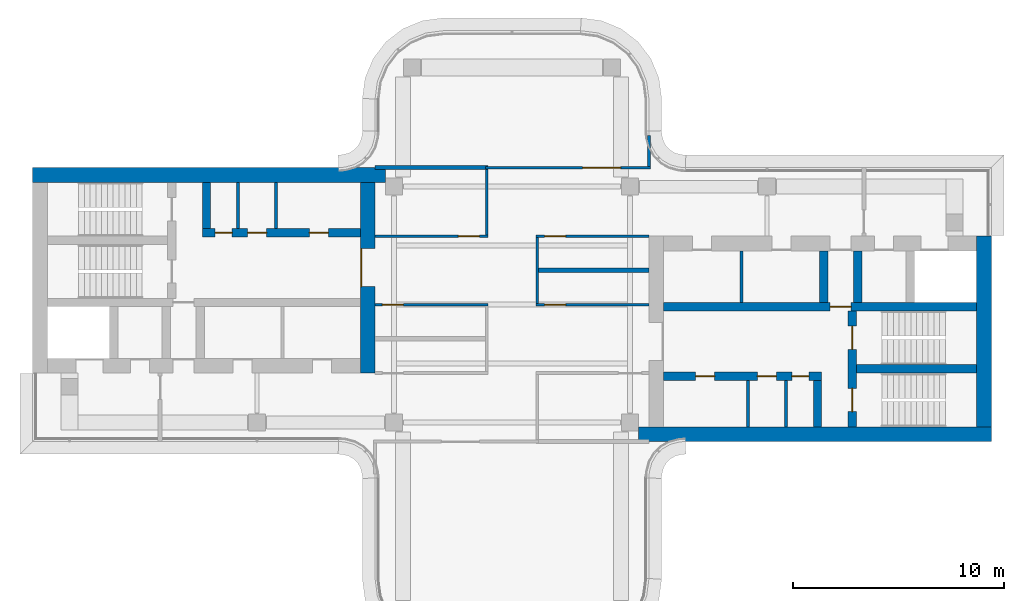
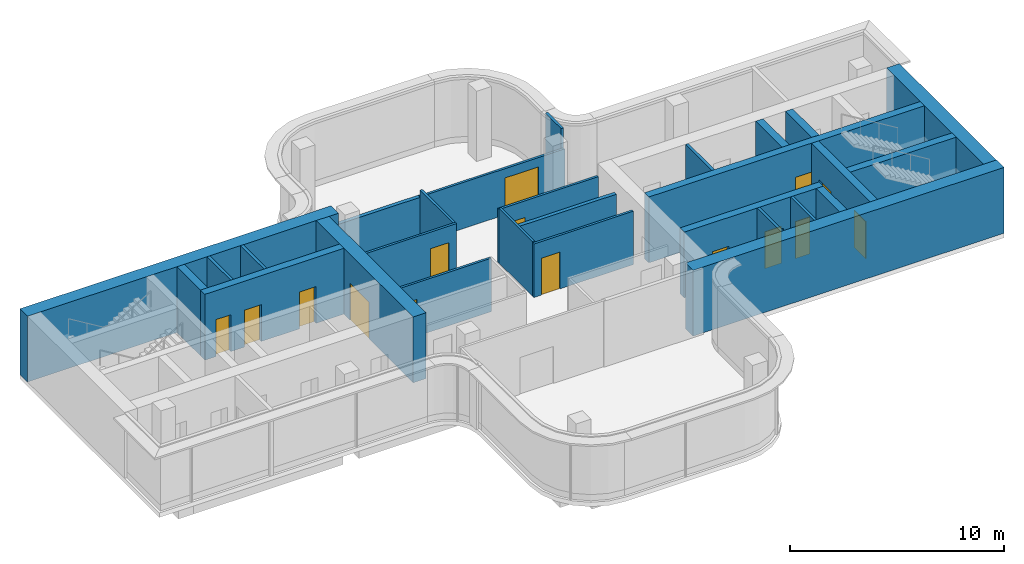
# One storey, part 8 of 10: 28 walls, 15 doors, 15 openings.
"""IFC4 building model written with IfcOpenShell, lengths in metres."""

from ifc_helpers import new_model, si_unit, direction, frame, frame_2d, origin, place, context, subcontext, project, spatial, rectangle, extrude, source, transform, mapped, material, layer, layer_set, type_object, element, fill, save


model = new_model("IFC4")

# Units and contexts
model_context = context("Model", 3, precision=1e-05, world=origin(), true_north=direction((0.0, 1.0)))
body_context = subcontext(model_context, "Body", "Model", "MODEL_VIEW")
ifc_project = project(units=[si_unit("LENGTHUNIT", "METRE"), si_unit("AREAUNIT", "SQUARE_METRE"), si_unit("VOLUMEUNIT", "CUBIC_METRE"), si_unit("PLANEANGLEUNIT", "RADIAN"), si_unit("MASSUNIT", "GRAM", prefix="KILO")], contexts=[model_context])

# Site, building, storey
site_placement = place(None, origin())
site = spatial("IfcSite", under=ifc_project, at=site_placement, CompositionType="ELEMENT")
building_placement = place(site_placement, origin())
building = spatial("IfcBuilding", under=site, at=building_placement, Name="Trellis Farm Tower", CompositionType="ELEMENT")
storey_placement = place(building_placement, frame((0.0, 0.0, 350.10009765625)))
storey = spatial("IfcBuildingStorey", under=building, at=storey_placement, Name="L79", CompositionType="ELEMENT", Elevation=350.10009765625)

# Wall
ifc_material_1 = material(Name="Lightweight blockwork, plastered", Category="masonry")
ifc_layer_1 = layer(ifc_material_1, 0.199951171875)
ifc_layer_set_1 = layer_set([ifc_layer_1], Name="BLOCK WALL 200 EI 120")
wall_type_1 = type_object("IfcWallType", Name="BLOCK WALL 200 EI 120", PredefinedType="PARTITIONING", material=ifc_layer_set_1)
wall_1_placement = place(storey_placement, frame((-6.5, 6.5, 0.0), z_axis=(0.0, 0.0, 1.0), x_axis=(1.0, 0.0, 0.0)))
element("IfcWall", 1, at=wall_1_placement, inside=storey, type_object=wall_type_1, Name="Partition PW3", PredefinedType="PARTITIONING", context=body_context, shape_type="SweptSolid", body=[
    extrude(rectangle(XDim=5.362548828125, YDim=0.199951171875, at=frame_2d((2.68115234375, 0.0))), origin(), (0.0, 0.0, 1.0), 2.6298828125),
])

# Wall, opening, door
ifc_material_2 = material(Name="Plasterboard on steel studs, mineral wool", Category="steel")
ifc_layer_2 = layer(ifc_material_2, 0.125)
ifc_layer_set_2 = layer_set([ifc_layer_2], Name="PARTITION 125 STUD EI 60")
wall_type_2 = type_object("IfcWallType", Name="PARTITION 125 STUD EI 60", PredefinedType="PARTITIONING", material=ifc_layer_set_2)
wall_2_placement = place(storey_placement, frame((-1.262451171875, 6.5, 0.0), z_axis=(0.0, 0.0, 1.0), x_axis=(1.0, 0.0, 0.0)))
wall_2 = element("IfcWall", 2, at=wall_2_placement, inside=storey, type_object=wall_type_2, Name="Partition PW1", PredefinedType="PARTITIONING", context=body_context, shape_type="SweptSolid", body=[
    extrude(rectangle(XDim=7.824951171875, YDim=0.125, at=frame_2d((3.91259765625, 0.0))), origin(), (0.0, 0.0, 1.0), 2.6298828125),
])
shared_shape_1 = source(origin(), body_context, "Body", "SweptSolid", [
    extrude(rectangle(XDim=1.800048828125, YDim=2.10009765625, at=frame_2d((0.89990234375, 1.050048828125))), frame((0.0, 0.072509765625, 0.0), z_axis=(0.0, -1.0, 0.0), x_axis=(1.0, 0.0, 0.0)), (0.0, 0.0, 1.0), 0.14501953125),
])
opening_1_placement = place(wall_2_placement, frame((4.612548828125, 0.0, 0.0)))
opening_1 = element("IfcOpeningElement", 3, at=opening_1_placement, cuts=wall_2, Name="Opening D402", PredefinedType="OPENING", context=body_context, shape_type="MappedRepresentation", body=[
    mapped(shared_shape_1, transform((0.0, 0.0, 0.0))),
])
ifc_material_3 = material(Name="Fire-rated timber door leaf in a hollow metal frame", Category="wood")
door_type_1 = type_object("IfcDoorType", Name="DOOR PAIR 1800x2100 FD60", OperationType="NOTDEFINED", PredefinedType="DOOR", material=ifc_material_3)
shared_shape_2 = source(origin(), body_context, "Body", "SweptSolid", [
    extrude(rectangle(XDim=1.800048828125, YDim=2.10009765625, at=frame_2d((0.89990234375, 1.050048828125))), frame((0.0, 0.02490234375, 0.0), z_axis=(0.0, -1.0, 0.0), x_axis=(1.0, 0.0, 0.0)), (0.0, 0.0, 1.0), 0.050048828125),
])
door_1_placement = place(opening_1_placement, origin())
door_1 = element("IfcDoor", 4, at=door_1_placement, inside=storey, type_object=door_type_1, Name="Door D402", OperationType="DOUBLE_DOOR_SINGLE_SWING", OverallHeight=2.10009765625, OverallWidth=1.800048828125, PredefinedType="DOOR", context=body_context, shape_type="MappedRepresentation", body=[
    mapped(shared_shape_2, transform((0.0, 0.0, 0.0))),
])
fill(opening_1, door_1)

# Wall
ifc_material_4 = material(Name="Concrete C50/60", Category="concrete")
ifc_layer_3 = layer(ifc_material_4, 0.699951171875)
ifc_layer_set_3 = layer_set([ifc_layer_3], Name="CORE OUTER WALL 700 CONCRETE C50/60")
wall_type_3 = type_object("IfcWallType", Name="CORE OUTER WALL 700 CONCRETE C50/60", PredefinedType="SHEAR", material=ifc_layer_set_3)
shared_shape_3 = source(origin(), body_context, "Body", "SweptSolid", [
    extrude(rectangle(XDim=9.050048828125, YDim=0.699951171875, at=frame_2d((4.52490234375, 0.0))), origin(), (0.0, 0.0, 1.0), 3.75),
])
wall_3_placement = place(storey_placement, frame((22.39990234375, -5.800048828125, 0.0), z_axis=(0.0, 0.0, 1.0), x_axis=(0.0, 1.0, 0.0)))
element("IfcWall", 5, at=wall_3_placement, inside=storey, type_object=wall_type_3, Name="Core wall", PredefinedType="SHEAR", context=body_context, shape_type="MappedRepresentation", body=[
    mapped(shared_shape_3, transform((0.0, 0.0, 0.0))),
])

# Wall, opening, door
wall_4_placement = place(storey_placement, frame((-6.85009765625, 5.800048828125, 0.0), z_axis=(0.0, 0.0, 1.0), x_axis=(0.0, -1.0, 0.0)))
wall_4 = element("IfcWall", 6, at=wall_4_placement, inside=storey, type_object=wall_type_3, Name="Core wall", PredefinedType="SHEAR", context=body_context, shape_type="MappedRepresentation", body=[
    mapped(shared_shape_3, transform((0.0, 0.0, 0.0))),
])
shared_shape_4 = source(origin(), body_context, "Body", "SweptSolid", [
    extrude(rectangle(XDim=1.800048828125, YDim=2.10009765625, at=frame_2d((0.89990234375, 1.050048828125))), frame((0.0, 0.360107421875, 0.0), z_axis=(0.0, -1.0, 0.0), x_axis=(1.0, 0.0, 0.0)), (0.0, 0.0, 1.0), 0.72021484375),
])
opening_2_placement = place(wall_4_placement, frame((3.14990234375, 0.0, 0.0)))
opening_2 = element("IfcOpeningElement", 7, at=opening_2_placement, cuts=wall_4, Name="Opening DC87", PredefinedType="OPENING", context=body_context, shape_type="MappedRepresentation", body=[
    mapped(shared_shape_4, transform((0.0, 0.0, 0.0))),
])
ifc_material_5 = material(Name="Steel", Category="steel")
door_type_2 = type_object("IfcDoorType", Name="CORE FIRE DOOR DOUBLE 1800 X 2100", OperationType="DOUBLE_DOOR_SINGLE_SWING", PredefinedType="DOOR", material=ifc_material_5)
shared_shape_5 = source(origin(), body_context, "Body", "SweptSolid", [
    extrude(rectangle(XDim=1.800048828125, YDim=2.10009765625, at=frame_2d((0.89990234375, 1.050048828125))), frame((0.0, -0.27490234375, 0.0), z_axis=(0.0, -1.0, 0.0), x_axis=(1.0, 0.0, 0.0)), (0.0, 0.0, 1.0), 0.050048828125),
])
door_2_placement = place(opening_2_placement, origin())
door_2 = element("IfcDoor", 8, at=door_2_placement, inside=storey, type_object=door_type_2, Name="Core door", OperationType="DOUBLE_DOOR_SINGLE_SWING", OverallHeight=2.10009765625, OverallWidth=1.800048828125, PredefinedType="DOOR", context=body_context, shape_type="MappedRepresentation", body=[
    mapped(shared_shape_5, transform((0.0, 0.0, 0.0))),
])
fill(opening_2, door_2)

# Walls
ifc_layer_4 = layer(ifc_material_4, 0.39990234375)
ifc_layer_set_4 = layer_set([ifc_layer_4], Name="CORE INNER WALL 400 CONCRETE C50/60")
wall_type_4 = type_object("IfcWallType", Name="CORE INNER WALL 400 CONCRETE C50/60", PredefinedType="SHEAR", material=ifc_layer_set_4)
shared_shape_6 = source(origin(), body_context, "Body", "SweptSolid", [
    extrude(rectangle(XDim=2.449951171875, YDim=0.39990234375, at=frame_2d((1.22509765625, 0.0))), origin(), (0.0, 0.0, 1.0), 3.75),
])
for number, where, z_axis, x_axis, name in (
    (9, (14.800048828125, 0.10009765625, 0.0), (0.0, 0.0, 1.0), (0.0, 1.0, 0.0), "Core wall"),
    (10, (16.39990234375, 0.10009765625, 0.0), (0.0, 0.0, 1.0), (0.0, 1.0, 0.0), "Core wall"),
):
    element("IfcWall", number, at=place(storey_placement, frame(where, z_axis=z_axis, x_axis=x_axis)), inside=storey, type_object=wall_type_4, Name=name, PredefinedType="SHEAR", context=body_context, shape_type="MappedRepresentation", body=[
        mapped(shared_shape_6, transform((0.0, 0.0, 0.0))),
    ])
ifc_material_6 = material(Name="Masonry blockwork", Category="masonry")
ifc_layer_5 = layer(ifc_material_6, 0.14990234375)
ifc_layer_set_5 = layer_set([ifc_layer_5], Name="CORE PARTITION 150 BLOCKWORK")
wall_type_5 = type_object("IfcWallType", Name="CORE PARTITION 150 BLOCKWORK", PredefinedType="PARTITIONING", material=ifc_layer_set_5)
shared_shape_7 = source(origin(), body_context, "Body", "SweptSolid", [
    extrude(rectangle(XDim=2.449951171875, YDim=0.14990234375, at=frame_2d((1.22509765625, 0.0))), origin(), (0.0, 0.0, 1.0), 3.75),
])
wall_5_placement = place(storey_placement, frame((10.89990234375, 0.10009765625, 0.0), z_axis=(0.0, 0.0, 1.0), x_axis=(0.0, 1.0, 0.0)))
element("IfcWall", 11, at=wall_5_placement, inside=storey, type_object=wall_type_5, Name="Core room partition", PredefinedType="PARTITIONING", context=body_context, shape_type="MappedRepresentation", body=[
    mapped(shared_shape_7, transform((0.0, 0.0, 0.0))),
])

# Wall, openings, doors
shared_shape_8 = source(origin(), body_context, "Body", "SweptSolid", [
    extrude(rectangle(XDim=7.5, YDim=0.39990234375, at=frame_2d((3.75, 0.0))), origin(), (0.0, 0.0, 1.0), 3.75),
])
wall_6_placement = place(storey_placement, frame((7.199951171875, -3.39990234375, 0.0), z_axis=(0.0, 0.0, 1.0), x_axis=(1.0, 0.0, 0.0)))
wall_6 = element("IfcWall", 12, at=wall_6_placement, inside=storey, type_object=wall_type_4, Name="Core wall", PredefinedType="SHEAR", context=body_context, shape_type="MappedRepresentation", body=[
    mapped(shared_shape_8, transform((0.0, 0.0, 0.0))),
])
shared_shape_9 = source(origin(), body_context, "Body", "SweptSolid", [
    extrude(rectangle(XDim=0.89990234375, YDim=2.10009765625, at=frame_2d((0.449951171875, 1.050048828125))), frame((0.0, 0.2099609375, 0.0), z_axis=(0.0, -1.0, 0.0), x_axis=(1.0, 0.0, 0.0)), (0.0, 0.0, 1.0), 0.419921875),
])
opening_3_placement = place(wall_6_placement, frame((1.512451171875, 0.0, 0.0)))
opening_3 = element("IfcOpeningElement", 13, at=opening_3_placement, cuts=wall_6, Name="Opening DC53", PredefinedType="OPENING", context=body_context, shape_type="MappedRepresentation", body=[
    mapped(shared_shape_9, transform((0.0, 0.0, 0.0))),
])
opening_4_placement = place(wall_6_placement, frame((4.449951171875, 0.0, 0.0)))
opening_4 = element("IfcOpeningElement", 14, at=opening_4_placement, cuts=wall_6, Name="Opening DC60", PredefinedType="OPENING", context=body_context, shape_type="MappedRepresentation", body=[
    mapped(shared_shape_9, transform((0.0, 0.0, 0.0))),
])
shared_shape_10 = source(origin(), body_context, "Body", "SweptSolid", [
    extrude(rectangle(XDim=0.800048828125, YDim=2.10009765625, at=frame_2d((0.39990234375, 1.050048828125))), frame((0.0, 0.2099609375, 0.0), z_axis=(0.0, -1.0, 0.0), x_axis=(1.0, 0.0, 0.0)), (0.0, 0.0, 1.0), 0.419921875),
])
opening_5_placement = place(wall_6_placement, frame((6.08740234375, 0.0, 0.0)))
opening_5 = element("IfcOpeningElement", 15, at=opening_5_placement, cuts=wall_6, Name="Opening DC63", PredefinedType="OPENING", context=body_context, shape_type="MappedRepresentation", body=[
    mapped(shared_shape_10, transform((0.0, 0.0, 0.0))),
])
door_type_3 = type_object("IfcDoorType", Name="CORE FIRE DOOR 900 X 2100", OperationType="NOTDEFINED", PredefinedType="DOOR", material=ifc_material_5)
shared_shape_11 = source(origin(), body_context, "Body", "SweptSolid", [
    extrude(rectangle(XDim=0.89990234375, YDim=2.10009765625, at=frame_2d((0.449951171875, 1.050048828125))), frame((0.0, 0.02490234375, 0.0), z_axis=(0.0, -1.0, 0.0), x_axis=(1.0, 0.0, 0.0)), (0.0, 0.0, 1.0), 0.050048828125),
])
door_3_placement = place(opening_3_placement, origin())
door_3 = element("IfcDoor", 16, at=door_3_placement, inside=storey, type_object=door_type_3, Name="Core door", OperationType="SINGLE_SWING_LEFT", OverallHeight=2.10009765625, OverallWidth=0.89990234375, PredefinedType="DOOR", context=body_context, shape_type="MappedRepresentation", body=[
    mapped(shared_shape_11, transform((0.0, 0.0, 0.0))),
])
fill(opening_3, door_3)
door_4_placement = place(opening_4_placement, origin())
door_4 = element("IfcDoor", 17, at=door_4_placement, inside=storey, type_object=door_type_3, Name="Core door", OperationType="SINGLE_SWING_RIGHT", OverallHeight=2.10009765625, OverallWidth=0.89990234375, PredefinedType="DOOR", context=body_context, shape_type="MappedRepresentation", body=[
    mapped(shared_shape_11, transform((0.0, 0.0, 0.0))),
])
fill(opening_4, door_4)
door_type_4 = type_object("IfcDoorType", Name="CORE FIRE DOOR 800 X 2100", OperationType="NOTDEFINED", PredefinedType="DOOR", material=ifc_material_5)
shared_shape_12 = source(origin(), body_context, "Body", "SweptSolid", [
    extrude(rectangle(XDim=0.800048828125, YDim=2.10009765625, at=frame_2d((0.39990234375, 1.050048828125))), frame((0.0, 0.02490234375, 0.0), z_axis=(0.0, -1.0, 0.0), x_axis=(1.0, 0.0, 0.0)), (0.0, 0.0, 1.0), 0.050048828125),
])
door_5_placement = place(opening_5_placement, origin())
door_5 = element("IfcDoor", 18, at=door_5_placement, inside=storey, type_object=door_type_4, Name="Core door", OperationType="SINGLE_SWING_LEFT", OverallHeight=2.10009765625, OverallWidth=0.800048828125, PredefinedType="DOOR", context=body_context, shape_type="MappedRepresentation", body=[
    mapped(shared_shape_12, transform((0.0, 0.0, 0.0))),
])
fill(opening_5, door_5)

wall_7_placement = place(storey_placement, frame((-7.199951171875, 3.39990234375, 0.0), z_axis=(0.0, 0.0, 1.0), x_axis=(-1.0, 0.0, 0.0)))
wall_7 = element("IfcWall", 19, at=wall_7_placement, inside=storey, type_object=wall_type_4, Name="Core wall", PredefinedType="SHEAR", context=body_context, shape_type="MappedRepresentation", body=[
    mapped(shared_shape_8, transform((0.0, 0.0, 0.0))),
])
opening_6_placement = place(wall_7_placement, frame((1.512451171875, 0.0, 0.0)))
opening_6 = element("IfcOpeningElement", 20, at=opening_6_placement, cuts=wall_7, Name="Opening DC139", PredefinedType="OPENING", context=body_context, shape_type="MappedRepresentation", body=[
    mapped(shared_shape_9, transform((0.0, 0.0, 0.0))),
])
opening_7_placement = place(wall_7_placement, frame((4.449951171875, 0.0, 0.0)))
opening_7 = element("IfcOpeningElement", 21, at=opening_7_placement, cuts=wall_7, Name="Opening DC146", PredefinedType="OPENING", context=body_context, shape_type="MappedRepresentation", body=[
    mapped(shared_shape_9, transform((0.0, 0.0, 0.0))),
])
opening_8_placement = place(wall_7_placement, frame((6.08740234375, 0.0, 0.0)))
opening_8 = element("IfcOpeningElement", 22, at=opening_8_placement, cuts=wall_7, Name="Opening DC149", PredefinedType="OPENING", context=body_context, shape_type="MappedRepresentation", body=[
    mapped(shared_shape_10, transform((0.0, 0.0, 0.0))),
])
door_6_placement = place(opening_6_placement, origin())
door_6 = element("IfcDoor", 23, at=door_6_placement, inside=storey, type_object=door_type_3, Name="Core door", OperationType="SINGLE_SWING_LEFT", OverallHeight=2.10009765625, OverallWidth=0.89990234375, PredefinedType="DOOR", context=body_context, shape_type="MappedRepresentation", body=[
    mapped(shared_shape_11, transform((0.0, 0.0, 0.0))),
])
fill(opening_6, door_6)
door_7_placement = place(opening_7_placement, origin())
door_7 = element("IfcDoor", 24, at=door_7_placement, inside=storey, type_object=door_type_3, Name="Core door", OperationType="SINGLE_SWING_RIGHT", OverallHeight=2.10009765625, OverallWidth=0.89990234375, PredefinedType="DOOR", context=body_context, shape_type="MappedRepresentation", body=[
    mapped(shared_shape_11, transform((0.0, 0.0, 0.0))),
])
fill(opening_7, door_7)
door_8_placement = place(opening_8_placement, origin())
door_8 = element("IfcDoor", 25, at=door_8_placement, inside=storey, type_object=door_type_4, Name="Core door", OperationType="SINGLE_SWING_LEFT", OverallHeight=2.10009765625, OverallWidth=0.800048828125, PredefinedType="DOOR", context=body_context, shape_type="MappedRepresentation", body=[
    mapped(shared_shape_12, transform((0.0, 0.0, 0.0))),
])
fill(opening_8, door_8)

# Wall, opening, door
shared_shape_13 = source(origin(), body_context, "Body", "SweptSolid", [
    extrude(rectangle(XDim=14.85009765625, YDim=0.39990234375, at=frame_2d((7.425048828125, 0.0))), origin(), (0.0, 0.0, 1.0), 3.75),
])
wall_8_placement = place(storey_placement, frame((7.199951171875, -0.10009765625, 0.0), z_axis=(0.0, 0.0, 1.0), x_axis=(1.0, 0.0, 0.0)))
wall_8 = element("IfcWall", 26, at=wall_8_placement, inside=storey, type_object=wall_type_4, Name="Core wall", PredefinedType="SHEAR", context=body_context, shape_type="MappedRepresentation", body=[
    mapped(shared_shape_13, transform((0.0, 0.0, 0.0))),
])
shared_shape_14 = source(origin(), body_context, "Body", "SweptSolid", [
    extrude(rectangle(XDim=1.0, YDim=2.10009765625, at=frame_2d((0.5, 1.050048828125))), frame((0.0, 0.2099609375, 0.0), z_axis=(0.0, -1.0, 0.0), x_axis=(1.0, 0.0, 0.0)), (0.0, 0.0, 1.0), 0.419921875),
])
opening_9_placement = place(wall_8_placement, frame((7.89990234375, 0.0, 0.0)))
opening_9 = element("IfcOpeningElement", 27, at=opening_9_placement, cuts=wall_8, Name="Opening DC5", PredefinedType="OPENING", context=body_context, shape_type="MappedRepresentation", body=[
    mapped(shared_shape_14, transform((0.0, 0.0, 0.0))),
])
door_type_5 = type_object("IfcDoorType", Name="CORE FIRE DOOR 1000 X 2100", OperationType="NOTDEFINED", PredefinedType="DOOR", material=ifc_material_5)
shared_shape_15 = source(origin(), body_context, "Body", "SweptSolid", [
    extrude(rectangle(XDim=1.0, YDim=2.10009765625, at=frame_2d((0.5, 1.050048828125))), frame((0.0, 0.02490234375, 0.0), z_axis=(0.0, -1.0, 0.0), x_axis=(1.0, 0.0, 0.0)), (0.0, 0.0, 1.0), 0.050048828125),
])
door_9_placement = place(opening_9_placement, origin())
door_9 = element("IfcDoor", 28, at=door_9_placement, inside=storey, type_object=door_type_5, Name="Core door", OperationType="SINGLE_SWING_RIGHT", OverallHeight=2.10009765625, OverallWidth=1.0, PredefinedType="DOOR", context=body_context, shape_type="MappedRepresentation", body=[
    mapped(shared_shape_15, transform((0.0, 0.0, 0.0))),
])
fill(opening_9, door_9)

# Wall, openings, doors
shared_shape_16 = source(origin(), body_context, "Body", "SweptSolid", [
    extrude(rectangle(XDim=5.5, YDim=0.39990234375, at=frame_2d((2.75, 0.0))), origin(), (0.0, 0.0, 1.0), 3.75),
])
wall_9_placement = place(storey_placement, frame((16.14990234375, -5.800048828125, 0.0), z_axis=(0.0, 0.0, 1.0), x_axis=(0.0, 1.0, 0.0)))
wall_9 = element("IfcWall", 29, at=wall_9_placement, inside=storey, type_object=wall_type_4, Name="Core wall", PredefinedType="SHEAR", context=body_context, shape_type="MappedRepresentation", body=[
    mapped(shared_shape_16, transform((0.0, 0.0, 0.0))),
])
shared_shape_17 = source(origin(), body_context, "Body", "SweptSolid", [
    extrude(rectangle(XDim=1.10009765625, YDim=2.10009765625, at=frame_2d((0.550048828125, 1.050048828125))), frame((0.0, 0.2099609375, 0.0), z_axis=(0.0, -1.0, 0.0), x_axis=(1.0, 0.0, 0.0)), (0.0, 0.0, 1.0), 0.419921875),
])
opening_10_placement = place(wall_9_placement, frame((0.72509765625, 0.0, 0.0)))
opening_10 = element("IfcOpeningElement", 30, at=opening_10_placement, cuts=wall_9, Name="Opening DC2", PredefinedType="OPENING", context=body_context, shape_type="MappedRepresentation", body=[
    mapped(shared_shape_17, transform((0.0, 0.0, 0.0))),
])
opening_11_placement = place(wall_9_placement, frame((3.675048828125, 0.0, 0.0)))
opening_11 = element("IfcOpeningElement", 31, at=opening_11_placement, cuts=wall_9, Name="Opening DC3", PredefinedType="OPENING", context=body_context, shape_type="MappedRepresentation", body=[
    mapped(shared_shape_17, transform((0.0, 0.0, 0.0))),
])
door_type_6 = type_object("IfcDoorType", Name="CORE FIRE DOOR 1100 X 2100", OperationType="NOTDEFINED", PredefinedType="DOOR", material=ifc_material_5)
shared_shape_18 = source(origin(), body_context, "Body", "SweptSolid", [
    extrude(rectangle(XDim=1.10009765625, YDim=2.10009765625, at=frame_2d((0.550048828125, 1.050048828125))), frame((0.0, 0.02490234375, 0.0), z_axis=(0.0, -1.0, 0.0), x_axis=(1.0, 0.0, 0.0)), (0.0, 0.0, 1.0), 0.050048828125),
])
door_10_placement = place(opening_10_placement, origin())
door_10 = element("IfcDoor", 32, at=door_10_placement, inside=storey, type_object=door_type_6, Name="Core door", OperationType="SINGLE_SWING_RIGHT", OverallHeight=2.10009765625, OverallWidth=1.10009765625, PredefinedType="DOOR", context=body_context, shape_type="MappedRepresentation", body=[
    mapped(shared_shape_18, transform((0.0, 0.0, 0.0))),
])
fill(opening_10, door_10)
door_11_placement = place(opening_11_placement, origin())
door_11 = element("IfcDoor", 33, at=door_11_placement, inside=storey, type_object=door_type_6, Name="Core door", OperationType="SINGLE_SWING_LEFT", OverallHeight=2.10009765625, OverallWidth=1.10009765625, PredefinedType="DOOR", context=body_context, shape_type="MappedRepresentation", body=[
    mapped(shared_shape_18, transform((0.0, 0.0, 0.0))),
])
fill(opening_11, door_11)

# Walls
shared_shape_19 = source(origin(), body_context, "Body", "SweptSolid", [
    extrude(rectangle(XDim=5.699951171875, YDim=0.39990234375, at=frame_2d((2.85009765625, 0.0))), origin(), (0.0, 0.0, 1.0), 3.75),
])
wall_10_placement = place(storey_placement, frame((16.35009765625, -3.050048828125, 0.0), z_axis=(0.0, 0.0, 1.0), x_axis=(1.0, 0.0, 0.0)))
element("IfcWall", 34, at=wall_10_placement, inside=storey, type_object=wall_type_4, Name="Core wall", PredefinedType="SHEAR", context=body_context, shape_type="MappedRepresentation", body=[
    mapped(shared_shape_19, transform((0.0, 0.0, 0.0))),
])
shared_shape_20 = source(origin(), body_context, "Body", "SweptSolid", [
    extrude(rectangle(XDim=2.199951171875, YDim=0.39990234375, at=frame_2d((1.10009765625, 0.0))), origin(), (0.0, 0.0, 1.0), 3.75),
])
for number, where, z_axis, x_axis, name in (
    (35, (14.5, -5.800048828125, 0.0), (0.0, 0.0, 1.0), (0.0, 1.0, 0.0), "Core wall"),
    (36, (-14.5, 5.800048828125, 0.0), (0.0, 0.0, 1.0), (0.0, -1.0, 0.0), "Core wall"),
):
    element("IfcWall", number, at=place(storey_placement, frame(where, z_axis=z_axis, x_axis=x_axis)), inside=storey, type_object=wall_type_4, Name=name, PredefinedType="SHEAR", context=body_context, shape_type="MappedRepresentation", body=[
        mapped(shared_shape_20, transform((0.0, 0.0, 0.0))),
    ])
shared_shape_21 = source(origin(), body_context, "Body", "SweptSolid", [
    extrude(rectangle(XDim=2.199951171875, YDim=0.14990234375, at=frame_2d((1.10009765625, 0.0))), origin(), (0.0, 0.0, 1.0), 3.75),
])
for number, where, z_axis, x_axis, name in (
    (37, (11.199951171875, -5.800048828125, 0.0), (0.0, 0.0, 1.0), (0.0, 1.0, 0.0), "Core room partition"),
    (38, (13.0, -5.800048828125, 0.0), (0.0, 0.0, 1.0), (0.0, 1.0, 0.0), "Core room partition"),
    (39, (-11.199951171875, 5.800048828125, 0.0), (0.0, 0.0, 1.0), (0.0, -1.0, 0.0), "Core room partition"),
    (40, (-13.0, 5.800048828125, 0.0), (0.0, 0.0, 1.0), (0.0, -1.0, 0.0), "Core room partition"),
):
    element("IfcWall", number, at=place(storey_placement, frame(where, z_axis=z_axis, x_axis=x_axis)), inside=storey, type_object=wall_type_5, Name=name, PredefinedType="PARTITIONING", context=body_context, shape_type="MappedRepresentation", body=[
        mapped(shared_shape_21, transform((0.0, 0.0, 0.0))),
    ])
shared_shape_22 = source(origin(), body_context, "Body", "SweptSolid", [
    extrude(rectangle(XDim=16.75, YDim=0.699951171875, at=frame_2d((8.375, 0.0))), origin(), (0.0, 0.0, 1.0), 3.75),
])
for number, where, z_axis, x_axis, name in (
    (41, (6.0, -6.14990234375, 0.0), (0.0, 0.0, 1.0), (1.0, 0.0, 0.0), "Core wall"),
    (42, (-6.0, 6.14990234375, 0.0), (0.0, 0.0, 1.0), (-1.0, 0.0, 0.0), "Core wall"),
):
    element("IfcWall", number, at=place(storey_placement, frame(where, z_axis=z_axis, x_axis=x_axis)), inside=storey, type_object=wall_type_3, Name=name, PredefinedType="SHEAR", context=body_context, shape_type="MappedRepresentation", body=[
        mapped(shared_shape_22, transform((0.0, 0.0, 0.0))),
    ])
shared_shape_23 = source(origin(), body_context, "Body", "SweptSolid", [
    extrude(rectangle(XDim=3.125, YDim=0.125, at=frame_2d((1.5625, 0.0))), origin(), (0.0, 0.0, 1.0), 3.11767578125),
])
wall_11_placement = place(storey_placement, frame((1.199951171875, 3.1875, 0.0), z_axis=(0.0, 0.0, 1.0), x_axis=(0.0, -1.0, 0.0)))
element("IfcWall", 43, at=wall_11_placement, inside=storey, type_object=wall_type_2, Name="Partition PW1", PredefinedType="PARTITIONING", context=body_context, shape_type="MappedRepresentation", body=[
    mapped(shared_shape_23, transform((0.0, 0.0, 0.0))),
])
shared_shape_24 = source(origin(), body_context, "Body", "SweptSolid", [
    extrude(rectangle(XDim=1.468994140625, YDim=0.125, at=frame_2d((0.734375, 0.0))), origin(), (0.0, 0.0, 1.0), 3.75),
])
wall_12_placement = place(storey_placement, frame((6.5, 6.5625, 0.0), z_axis=(0.0, 0.0, 1.0), x_axis=(0.0, 1.0, 0.0)))
element("IfcWall", 44, at=wall_12_placement, inside=storey, type_object=wall_type_2, Name="Partition PW1", PredefinedType="PARTITIONING", context=body_context, shape_type="MappedRepresentation", body=[
    mapped(shared_shape_24, transform((0.0, 0.0, 0.0))),
])

# Wall, opening, door
shared_shape_25 = source(origin(), body_context, "Body", "SweptSolid", [
    extrude(rectangle(XDim=5.362548828125, YDim=0.125, at=frame_2d((2.68115234375, 0.0))), origin(), (0.0, 0.0, 1.0), 3.04638671875),
])
wall_13_placement = place(storey_placement, frame((-1.137451171875, 0.0, 0.0), z_axis=(0.0, 0.0, 1.0), x_axis=(-1.0, 0.0, 0.0)))
wall_13 = element("IfcWall", 45, at=wall_13_placement, inside=storey, type_object=wall_type_2, Name="Partition PW1", PredefinedType="PARTITIONING", context=body_context, shape_type="MappedRepresentation", body=[
    mapped(shared_shape_25, transform((0.0, 0.0, 0.0))),
])
shared_shape_26 = source(origin(), body_context, "Body", "SweptSolid", [
    extrude(rectangle(XDim=1.0, YDim=2.10009765625, at=frame_2d((0.5, 1.050048828125))), frame((0.0, 0.072509765625, 0.0), z_axis=(0.0, -1.0, 0.0), x_axis=(1.0, 0.0, 0.0)), (0.0, 0.0, 1.0), 0.14501953125),
])
opening_12_placement = place(wall_13_placement, frame((4.012451171875, 0.0, 0.0)))
opening_12 = element("IfcOpeningElement", 46, at=opening_12_placement, cuts=wall_13, Name="Opening D301", PredefinedType="OPENING", context=body_context, shape_type="MappedRepresentation", body=[
    mapped(shared_shape_26, transform((0.0, 0.0, 0.0))),
])
door_type_7 = type_object("IfcDoorType", Name="DOOR 1000x2100 FD60", OperationType="NOTDEFINED", PredefinedType="DOOR", material=ifc_material_3)
door_12_placement = place(opening_12_placement, origin())
door_12 = element("IfcDoor", 47, at=door_12_placement, inside=storey, type_object=door_type_7, Name="Door D301", OperationType="SINGLE_SWING_RIGHT", OverallHeight=2.10009765625, OverallWidth=1.0, PredefinedType="DOOR", context=body_context, shape_type="MappedRepresentation", body=[
    mapped(shared_shape_15, transform((0.0, 0.0, 0.0))),
])
fill(opening_12, door_12)

wall_14_placement = place(storey_placement, frame((6.5, 0.0, 0.0), z_axis=(0.0, 0.0, 1.0), x_axis=(-1.0, 0.0, 0.0)))
wall_14 = element("IfcWall", 48, at=wall_14_placement, inside=storey, type_object=wall_type_2, Name="Partition PW1", PredefinedType="PARTITIONING", context=body_context, shape_type="MappedRepresentation", body=[
    mapped(shared_shape_25, transform((0.0, 0.0, 0.0))),
])
opening_13_placement = place(wall_14_placement, frame((3.949951171875, 0.0, 0.0)))
opening_13 = element("IfcOpeningElement", 49, at=opening_13_placement, cuts=wall_14, Name="Opening D102", PredefinedType="OPENING", context=body_context, shape_type="MappedRepresentation", body=[
    mapped(shared_shape_26, transform((0.0, 0.0, 0.0))),
])
door_type_8 = type_object("IfcDoorType", Name="DOOR 1000x2100 FD30S", OperationType="NOTDEFINED", PredefinedType="DOOR", material=ifc_material_3)
door_13_placement = place(opening_13_placement, origin())
door_13 = element("IfcDoor", 50, at=door_13_placement, inside=storey, type_object=door_type_8, Name="Door D102", OperationType="SINGLE_SWING_RIGHT", OverallHeight=2.10009765625, OverallWidth=1.0, PredefinedType="DOOR", context=body_context, shape_type="MappedRepresentation", body=[
    mapped(shared_shape_15, transform((0.0, 0.0, 0.0))),
])
fill(opening_13, door_13)

wall_15_placement = place(storey_placement, frame((-6.5, 3.25, 0.0), z_axis=(0.0, 0.0, 1.0), x_axis=(1.0, 0.0, 0.0)))
wall_15 = element("IfcWall", 51, at=wall_15_placement, inside=storey, type_object=wall_type_2, Name="Partition PW1", PredefinedType="PARTITIONING", context=body_context, shape_type="MappedRepresentation", body=[
    mapped(shared_shape_25, transform((0.0, 0.0, 0.0))),
])
opening_14_placement = place(wall_15_placement, frame((3.949951171875, 0.0, 0.0)))
opening_14 = element("IfcOpeningElement", 52, at=opening_14_placement, cuts=wall_15, Name="Opening D302", PredefinedType="OPENING", context=body_context, shape_type="MappedRepresentation", body=[
    mapped(shared_shape_26, transform((0.0, 0.0, 0.0))),
])
door_14_placement = place(opening_14_placement, origin())
door_14 = element("IfcDoor", 53, at=door_14_placement, inside=storey, type_object=door_type_7, Name="Door D302", OperationType="SINGLE_SWING_RIGHT", OverallHeight=2.10009765625, OverallWidth=1.0, PredefinedType="DOOR", context=body_context, shape_type="MappedRepresentation", body=[
    mapped(shared_shape_15, transform((0.0, 0.0, 0.0))),
])
fill(opening_14, door_14)

wall_16_placement = place(storey_placement, frame((1.137451171875, 3.25, 0.0), z_axis=(0.0, 0.0, 1.0), x_axis=(1.0, 0.0, 0.0)))
wall_16 = element("IfcWall", 54, at=wall_16_placement, inside=storey, type_object=wall_type_2, Name="Partition PW1", PredefinedType="PARTITIONING", context=body_context, shape_type="MappedRepresentation", body=[
    mapped(shared_shape_25, transform((0.0, 0.0, 0.0))),
])
opening_15_placement = place(wall_16_placement, frame((0.41259765625, 0.0, 0.0)))
opening_15 = element("IfcOpeningElement", 55, at=opening_15_placement, cuts=wall_16, Name="Opening D303", PredefinedType="OPENING", context=body_context, shape_type="MappedRepresentation", body=[
    mapped(shared_shape_26, transform((0.0, 0.0, 0.0))),
])
door_15_placement = place(opening_15_placement, origin())
door_15 = element("IfcDoor", 56, at=door_15_placement, inside=storey, type_object=door_type_7, Name="Door D303", OperationType="SINGLE_SWING_LEFT", OverallHeight=2.10009765625, OverallWidth=1.0, PredefinedType="DOOR", context=body_context, shape_type="MappedRepresentation", body=[
    mapped(shared_shape_15, transform((0.0, 0.0, 0.0))),
])
fill(opening_15, door_15)

# Walls
shared_shape_27 = source(origin(), body_context, "Body", "SweptSolid", [
    extrude(rectangle(XDim=3.08740234375, YDim=0.125, at=frame_2d((1.543701171875, 0.0))), origin(), (0.0, 0.0, 1.0), 3.04638671875),
])
wall_17_placement = place(storey_placement, frame((-1.199951171875, 6.39990234375, 0.0), z_axis=(0.0, 0.0, 1.0), x_axis=(0.0, -1.0, 0.0)))
element("IfcWall", 57, at=wall_17_placement, inside=storey, type_object=wall_type_2, Name="Partition PW1", PredefinedType="PARTITIONING", context=body_context, shape_type="MappedRepresentation", body=[
    mapped(shared_shape_27, transform((0.0, 0.0, 0.0))),
])
shared_shape_28 = source(origin(), body_context, "Body", "SweptSolid", [
    extrude(rectangle(XDim=5.237548828125, YDim=0.199951171875, at=frame_2d((2.61865234375, 0.0))), origin(), (0.0, 0.0, 1.0), 3.04638671875),
])
wall_18_placement = place(storey_placement, frame((1.262451171875, 1.625, 0.0), z_axis=(0.0, 0.0, 1.0), x_axis=(1.0, 0.0, 0.0)))
element("IfcWall", 58, at=wall_18_placement, inside=storey, type_object=wall_type_1, Name="Partition PW3", PredefinedType="PARTITIONING", context=body_context, shape_type="MappedRepresentation", body=[
    mapped(shared_shape_28, transform((0.0, 0.0, 0.0))),
])

save(model, "model.ifc")
